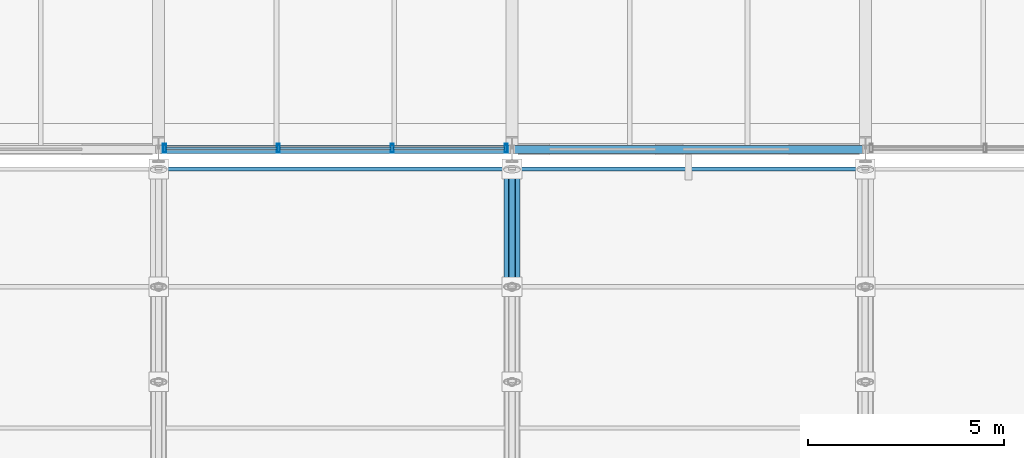
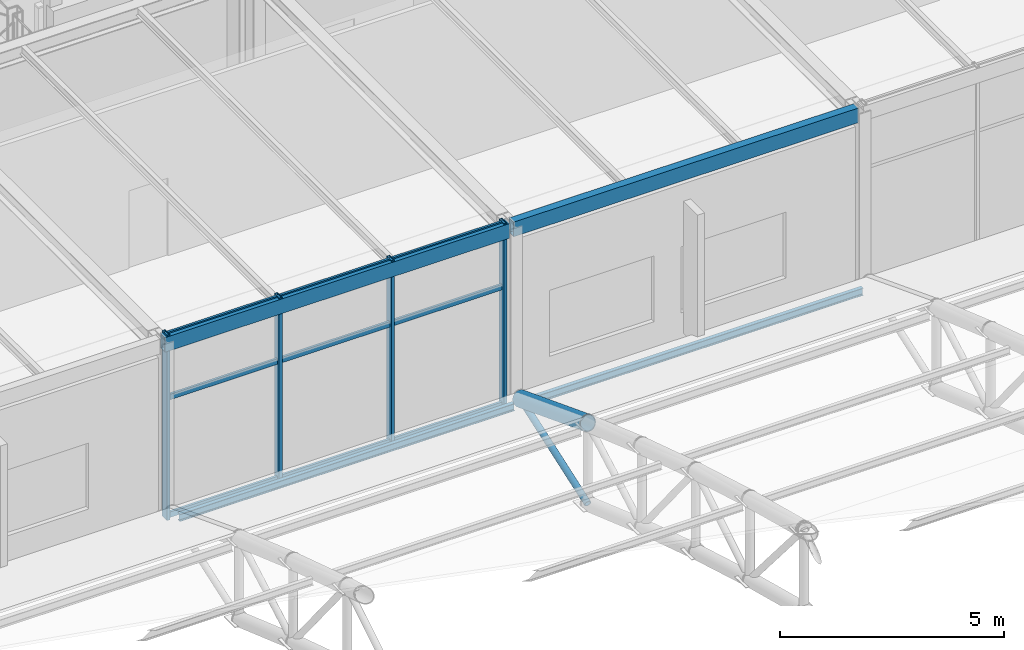
# One storey, part 41 of 195: 17 members, 2 beams, 1 element without a shape of its own.
"""IFC4 building model written with IfcOpenShell, lengths in metres."""

from ifc_helpers import new_model, si_unit, direction, frame, origin, origin_2d, place, context, subcontext, project, spatial, hollow_rectangle, hollow_circle, i_section, extrude, material, layer, layer_set, material_profile, profile_set, type_object, element, aggregate, save


model = new_model("IFC4")

# Units and contexts
model_context = context("Model", 3, precision=1e-05, world=origin(), true_north=direction((0.0, 1.0)))
body_context = subcontext(model_context, "Body", "Model", "MODEL_VIEW")
ifc_project = project(units=[si_unit("LENGTHUNIT", "METRE"), si_unit("AREAUNIT", "SQUARE_METRE"), si_unit("VOLUMEUNIT", "CUBIC_METRE"), si_unit("PLANEANGLEUNIT", "RADIAN"), si_unit("MASSUNIT", "GRAM", prefix="KILO")], contexts=[model_context])

# Site, building, storey
site_placement = place(None, origin())
site = spatial("IfcSite", under=ifc_project, at=site_placement, CompositionType="ELEMENT")
building_placement = place(site_placement, origin())
building = spatial("IfcBuilding", under=site, at=building_placement, Name="Marlcrest Central Station", CompositionType="ELEMENT")
storey_placement = place(building_placement, frame((0.0, 0.0, 9.800048828125)))
storey = spatial("IfcBuildingStorey", under=building, at=storey_placement, Name="L02", CompositionType="ELEMENT", Elevation=9.800048828125)

# Members
ifc_material_1 = material(Name="Steel S355", Category="steel")
ifc_material_profile_1 = material_profile(ifc_material_1, hollow_circle(Radius=0.203125, WallThickness=0.02001953125, at=origin_2d()), Name="CHS 406.4x20")
ifc_profile_set_1 = profile_set([ifc_material_profile_1], Name="Steel S355")
member_type_1 = type_object("IfcMemberType", Name="AC-01", PredefinedType="CHORD", material=ifc_profile_set_1)
member_1_placement = place(storey_placement, frame((27.0, 95.5, 1.599853515625), z_axis=(0.0, 0.933324071143, -0.359035065453), x_axis=(-1.0, 0.0, 0.0)))
element("IfcMember", 1, at=member_1_placement, inside=storey, type_object=member_type_1, Name="mem-AC-01-L02-00507", PredefinedType="CHORD", context=body_context, shape_type="SweptSolid", body=[
    extrude(hollow_circle(Radius=0.203125, WallThickness=0.02001953125, at=origin_2d()), origin(), (0.0, 0.0, 1.0), 3.21435546875),
])
ifc_material_profile_2 = material_profile(ifc_material_1, hollow_circle(Radius=0.084228515625, WallThickness=0.010009765625, at=origin_2d()), Name="CHS 168.3x10")
ifc_profile_set_2 = profile_set([ifc_material_profile_2], Name="Steel S355")
member_type_2 = type_object("IfcMemberType", Name="AD-01", PredefinedType="BRACE", material=ifc_profile_set_2)
member_2_placement = place(storey_placement, frame((27.0, 95.5, -0.60009765625), z_axis=(0.0, 0.944260188635, 0.329200085296), x_axis=(-1.0, 0.0, 0.0)))
element("IfcMember", 2, at=member_2_placement, inside=storey, type_object=member_type_2, Name="mem-AD-01-L02-00509", PredefinedType="BRACE", context=body_context, shape_type="SweptSolid", body=[
    extrude(hollow_circle(Radius=0.084228515625, WallThickness=0.010009765625, at=origin_2d()), origin(), (0.0, 0.0, 1.0), 3.177001953125),
])

# Curtain wall, members
ifc_material_2 = material(Name="Anodised aluminium and hurricane laminated glass", Category="aluminium")
ifc_layer = layer(ifc_material_2, 0.219970703125, Name="CW-U1")
ifc_layer_set = layer_set([ifc_layer], Name="Anodised aluminium and hurricane laminated glass")
curtain_wall_type = type_object("IfcCurtainWallType", Name="CW-U1", PredefinedType="USERDEFINED", material=ifc_layer_set)
curtain_wall_placement = place(storey_placement, origin())
curtain_wall = element("IfcCurtainWall", 3, at=curtain_wall_placement, inside=storey, type_object=curtain_wall_type, Name="cw-L02-0160", ObjectType="UNITISED_CURTAIN_WALL", PredefinedType="USERDEFINED")
ifc_material_3 = material(Name="Anodised aluminium 6063-T6", Category="aluminium")
ifc_material_profile_3 = material_profile(ifc_material_3, hollow_rectangle(XDim=0.080078125, YDim=0.219970703125, WallThickness=0.006103515625, at=origin_2d()), Name="AA-RHS 220x80x6")
ifc_profile_set_3 = profile_set([ifc_material_profile_3], Name="Anodised aluminium 6063-T6")
member_type_3 = type_object("IfcMemberType", Name="ML-01", PredefinedType="MULLION", material=ifc_profile_set_3)
member_3_placement = place(storey_placement, frame((26.85009765625, 99.030029296875, -0.030029296875), z_axis=(0.0, 0.0, 1.0), x_axis=(1.0, 0.0, 0.0)))
member_3 = element("IfcMember", 4, at=member_3_placement, type_object=member_type_3, Name="cw-L02-0160-ml-0", PredefinedType="MULLION", context=body_context, shape_type="SweptSolid", body=[
    extrude(hollow_rectangle(XDim=0.080078125, YDim=0.219970703125, WallThickness=0.006103515625, at=origin_2d()), origin(), (0.0, 0.0, 1.0), 5.06005859375),
])
member_4_placement = place(storey_placement, frame((23.949951171875, 99.030029296875, -0.030029296875), z_axis=(0.0, 0.0, 1.0), x_axis=(1.0, 0.0, 0.0)))
member_4 = element("IfcMember", 5, at=member_4_placement, type_object=member_type_3, Name="cw-L02-0160-ml-1", PredefinedType="MULLION", context=body_context, shape_type="SweptSolid", body=[
    extrude(hollow_rectangle(XDim=0.080078125, YDim=0.219970703125, WallThickness=0.006103515625, at=origin_2d()), origin(), (0.0, 0.0, 1.0), 5.06005859375),
])
member_5_placement = place(storey_placement, frame((21.050048828125, 99.030029296875, -0.030029296875), z_axis=(0.0, 0.0, 1.0), x_axis=(1.0, 0.0, 0.0)))
member_5 = element("IfcMember", 6, at=member_5_placement, type_object=member_type_3, Name="cw-L02-0160-ml-2", PredefinedType="MULLION", context=body_context, shape_type="SweptSolid", body=[
    extrude(hollow_rectangle(XDim=0.080078125, YDim=0.219970703125, WallThickness=0.006103515625, at=origin_2d()), origin(), (0.0, 0.0, 1.0), 5.06005859375),
])
member_6_placement = place(storey_placement, frame((18.14990234375, 99.030029296875, -0.030029296875), z_axis=(0.0, 0.0, 1.0), x_axis=(1.0, 0.0, 0.0)))
member_6 = element("IfcMember", 7, at=member_6_placement, type_object=member_type_3, Name="cw-L02-0160-ml-3", PredefinedType="MULLION", context=body_context, shape_type="SweptSolid", body=[
    extrude(hollow_rectangle(XDim=0.080078125, YDim=0.219970703125, WallThickness=0.006103515625, at=origin_2d()), origin(), (0.0, 0.0, 1.0), 5.06005859375),
])

# Members
ifc_material_profile_4 = material_profile(ifc_material_1, i_section(OverallWidth=0.10009765625, OverallDepth=0.199951171875, WebThickness=0.005615234375, FlangeThickness=0.008544921875, FilletRadius=0.011962890625, at=origin_2d()), Name="IPE 200")
ifc_profile_set_4 = profile_set([ifc_material_profile_4], Name="Steel S355")
member_type_4 = type_object("IfcMemberType", Name="PR-01", PredefinedType="PURLIN", material=ifc_profile_set_4)
for number, where, z_axis, x_axis, name in (
    (8, (18.179931640625, 98.5, 0.3056640625), (1.0, 0.0, 0.0), (0.0, 1.0, 0.0), "mem-PR-01-L02-00408"),
    (9, (27.179931640625, 98.5, 0.3056640625), (1.0, 0.0, 0.0), (0.0, 1.0, 0.0), "mem-PR-01-L02-00524"),
):
    element("IfcMember", number, at=place(storey_placement, frame(where, z_axis=z_axis, x_axis=x_axis)), inside=storey, type_object=member_type_4, Name=name, PredefinedType="PURLIN", context=body_context, shape_type="SweptSolid", body=[
        extrude(i_section(OverallWidth=0.10009765625, OverallDepth=0.199951171875, WebThickness=0.005615234375, FlangeThickness=0.008544921875, FilletRadius=0.011962890625, at=origin_2d()), origin(), (0.0, 0.0, 1.0), 8.64013671875),
    ])

# Beams
ifc_material_profile_5 = material_profile(ifc_material_1, hollow_rectangle(XDim=0.199951171875, YDim=0.39990234375, WallThickness=0.01611328125, at=origin_2d()), Name="RHS 400x200x16")
ifc_profile_set_5 = profile_set([ifc_material_profile_5], Name="Steel S355")
beam_type = type_object("IfcBeamType", Name="SP-01", PredefinedType="SPANDREL", material=ifc_profile_set_5)
for number, where, z_axis, x_axis, name in (
    (10, (18.050048828125, 99.0, 4.800048828125), (1.0, 0.0, 0.0), (0.0, 1.0, 0.0), "bm-SP-01-L02-00350"),
    (11, (27.050048828125, 99.0, 4.800048828125), (1.0, 0.0, 0.0), (0.0, 1.0, 0.0), "bm-SP-01-L02-00351"),
):
    element("IfcBeam", number, at=place(storey_placement, frame(where, z_axis=z_axis, x_axis=x_axis)), inside=storey, type_object=beam_type, Name=name, PredefinedType="SPANDREL", context=body_context, shape_type="SweptSolid", body=[
        extrude(hollow_rectangle(XDim=0.199951171875, YDim=0.39990234375, WallThickness=0.01611328125, at=origin_2d()), origin(), (0.0, 0.0, 1.0), 8.89990234375),
    ])

# Member
ifc_material_profile_6 = material_profile(ifc_material_3, hollow_rectangle(XDim=0.06005859375, YDim=0.14990234375, WallThickness=0.00390625, at=origin_2d()), Name="AA-RHS 150x60x4")
ifc_profile_set_6 = profile_set([ifc_material_profile_6], Name="Anodised aluminium 6063-T6")
member_type_5 = type_object("IfcMemberType", Name="TR-01", PredefinedType="USERDEFINED", material=ifc_profile_set_6)
member_7_placement = place(storey_placement, frame((26.81201171875, 99.030029296875, 0.0400390625), z_axis=(-1.0, 0.0, 0.0), x_axis=(0.0, -1.0, 0.0)))
member_7 = element("IfcMember", 12, at=member_7_placement, type_object=member_type_5, Name="cw-L02-0160-tr-0-sill", ObjectType="TRANSOM", PredefinedType="USERDEFINED", context=body_context, shape_type="SweptSolid", body=[
    extrude(hollow_rectangle(XDim=0.06005859375, YDim=0.14990234375, WallThickness=0.00390625, at=origin_2d()), origin(), (0.0, 0.0, 1.0), 2.823974609375),
])

member_8_placement = place(storey_placement, frame((26.81201171875, 99.030029296875, 3.25), z_axis=(-1.0, 0.0, 0.0), x_axis=(0.0, -1.0, 0.0)))
member_8 = element("IfcMember", 13, at=member_8_placement, type_object=member_type_5, Name="cw-L02-0160-tr-0-mid", ObjectType="TRANSOM", PredefinedType="USERDEFINED", context=body_context, shape_type="SweptSolid", body=[
    extrude(hollow_rectangle(XDim=0.06005859375, YDim=0.14990234375, WallThickness=0.00390625, at=origin_2d()), origin(), (0.0, 0.0, 1.0), 2.823974609375),
])

member_9_placement = place(storey_placement, frame((26.81201171875, 99.030029296875, 4.9599609375), z_axis=(-1.0, 0.0, 0.0), x_axis=(0.0, -1.0, 0.0)))
member_9 = element("IfcMember", 14, at=member_9_placement, type_object=member_type_5, Name="cw-L02-0160-tr-0-head", ObjectType="TRANSOM", PredefinedType="USERDEFINED", context=body_context, shape_type="SweptSolid", body=[
    extrude(hollow_rectangle(XDim=0.06005859375, YDim=0.14990234375, WallThickness=0.00390625, at=origin_2d()), origin(), (0.0, 0.0, 1.0), 2.823974609375),
])

member_10_placement = place(storey_placement, frame((23.912109375, 99.030029296875, 0.0400390625), z_axis=(-1.0, 0.0, 0.0), x_axis=(0.0, -1.0, 0.0)))
member_10 = element("IfcMember", 15, at=member_10_placement, type_object=member_type_5, Name="cw-L02-0160-tr-1-sill", ObjectType="TRANSOM", PredefinedType="USERDEFINED", context=body_context, shape_type="SweptSolid", body=[
    extrude(hollow_rectangle(XDim=0.06005859375, YDim=0.14990234375, WallThickness=0.00390625, at=origin_2d()), origin(), (0.0, 0.0, 1.0), 2.82421875),
])

member_11_placement = place(storey_placement, frame((23.912109375, 99.030029296875, 3.25), z_axis=(-1.0, 0.0, 0.0), x_axis=(0.0, -1.0, 0.0)))
member_11 = element("IfcMember", 16, at=member_11_placement, type_object=member_type_5, Name="cw-L02-0160-tr-1-mid", ObjectType="TRANSOM", PredefinedType="USERDEFINED", context=body_context, shape_type="SweptSolid", body=[
    extrude(hollow_rectangle(XDim=0.06005859375, YDim=0.14990234375, WallThickness=0.00390625, at=origin_2d()), origin(), (0.0, 0.0, 1.0), 2.82421875),
])

member_12_placement = place(storey_placement, frame((23.912109375, 99.030029296875, 4.9599609375), z_axis=(-1.0, 0.0, 0.0), x_axis=(0.0, -1.0, 0.0)))
member_12 = element("IfcMember", 17, at=member_12_placement, type_object=member_type_5, Name="cw-L02-0160-tr-1-head", ObjectType="TRANSOM", PredefinedType="USERDEFINED", context=body_context, shape_type="SweptSolid", body=[
    extrude(hollow_rectangle(XDim=0.06005859375, YDim=0.14990234375, WallThickness=0.00390625, at=origin_2d()), origin(), (0.0, 0.0, 1.0), 2.82421875),
])

member_13_placement = place(storey_placement, frame((21.011962890625, 99.030029296875, 0.0400390625), z_axis=(-1.0, 0.0, 0.0), x_axis=(0.0, -1.0, 0.0)))
member_13 = element("IfcMember", 18, at=member_13_placement, type_object=member_type_5, Name="cw-L02-0160-tr-2-sill", ObjectType="TRANSOM", PredefinedType="USERDEFINED", context=body_context, shape_type="SweptSolid", body=[
    extrude(hollow_rectangle(XDim=0.06005859375, YDim=0.14990234375, WallThickness=0.00390625, at=origin_2d()), origin(), (0.0, 0.0, 1.0), 2.823974609375),
])

member_14_placement = place(storey_placement, frame((21.011962890625, 99.030029296875, 3.25), z_axis=(-1.0, 0.0, 0.0), x_axis=(0.0, -1.0, 0.0)))
member_14 = element("IfcMember", 19, at=member_14_placement, type_object=member_type_5, Name="cw-L02-0160-tr-2-mid", ObjectType="TRANSOM", PredefinedType="USERDEFINED", context=body_context, shape_type="SweptSolid", body=[
    extrude(hollow_rectangle(XDim=0.06005859375, YDim=0.14990234375, WallThickness=0.00390625, at=origin_2d()), origin(), (0.0, 0.0, 1.0), 2.823974609375),
])

member_15_placement = place(storey_placement, frame((21.011962890625, 99.030029296875, 4.9599609375), z_axis=(-1.0, 0.0, 0.0), x_axis=(0.0, -1.0, 0.0)))
member_15 = element("IfcMember", 20, at=member_15_placement, type_object=member_type_5, Name="cw-L02-0160-tr-2-head", ObjectType="TRANSOM", PredefinedType="USERDEFINED", context=body_context, shape_type="SweptSolid", body=[
    extrude(hollow_rectangle(XDim=0.06005859375, YDim=0.14990234375, WallThickness=0.00390625, at=origin_2d()), origin(), (0.0, 0.0, 1.0), 2.823974609375),
])

aggregate(curtain_wall, [member_3, member_4, member_5, member_6, member_7, member_8, member_9, member_10, member_11, member_12, member_13, member_14, member_15])

save(model, "model.ifc")
